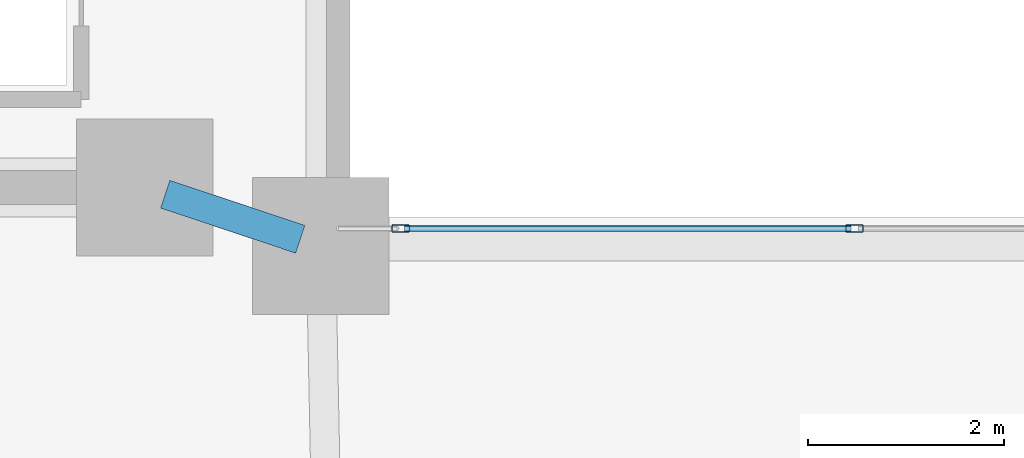
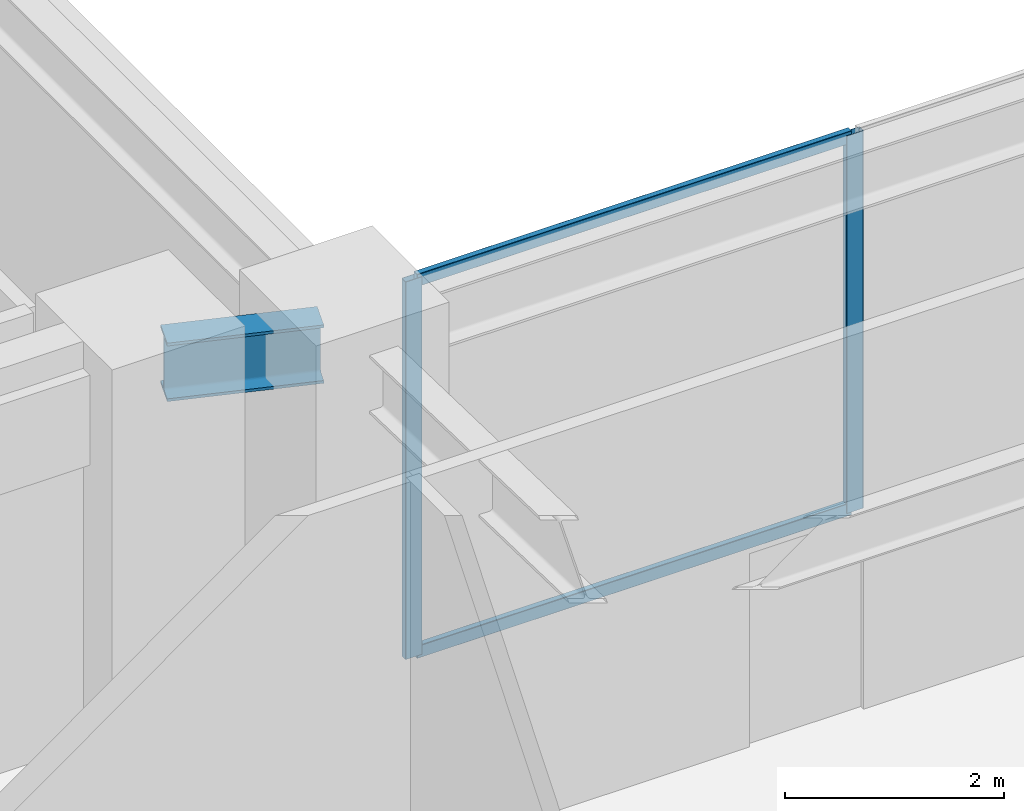
# One storey, part 8 of 40: 4 members, 1 beam, 1 element without a shape of its own.
"""IFC4 building model written with IfcOpenShell, lengths in metres."""

import ifcopenshell
import ifcopenshell.guid

model = None  # the IFC model being written
_history = None  # IfcOwnerHistory: only IFC2X3 demands one
_inside = {}  # id of a spatial element -> (the spatial element, [elements in it])
_under = {}  # id of a project, library or spatial element -> (it, [spatial elements below it])
_declared = {}  # id of a project -> (the project, [libraries it declares])
_typed = {}  # id of a type object -> (the type object, [elements of that type])
_made_of = {}  # id of a material, layer set ... -> (it, [elements and type objects made of it])


def new_model(schema):
    """Start an empty IFC model of exactly this schema.

    Asked for "IFC4X3", IfcOpenShell would pick the latest addendum, in which some entities
    have other attributes; the version numbers below select the first issue.
    IFC2X3 requires an IfcOwnerHistory on every rooted entity: one is made here for all.
    """
    global model, _history
    if schema == "IFC4X3":
        model = ifcopenshell.file(schema_version=(4, 3, 0, 0))
    else:
        model = ifcopenshell.file(schema=schema)
    _inside.clear()
    _under.clear()
    _declared.clear()
    _typed.clear()
    _made_of.clear()
    _history = None
    if model.schema == "IFC2X3":
        org = make("IfcOrganization", Name="unknown")
        user = make(
            "IfcPersonAndOrganization",
            ThePerson=make("IfcPerson", FamilyName="unknown"),
            TheOrganization=org,
        )
        app = make(
            "IfcApplication",
            ApplicationDeveloper=org,
            Version="unknown",
            ApplicationFullName="unknown",
            ApplicationIdentifier="unknown",
        )
        _history = make(
            "IfcOwnerHistory",
            OwningUser=user,
            OwningApplication=app,
            ChangeAction="ADDED",
            CreationDate=0,
        )
    return model


def make(cls, **values):
    """One entity of the class cls with the attributes given. An attribute that is None is left unset."""
    return model.create_entity(
        cls, **{name: value for name, value in values.items() if value is not None}
    )


def rooted(cls, **values):
    """An entity with a GlobalId (a new one), such as an element, a storey or a relation."""
    return make(cls, GlobalId=ifcopenshell.guid.new(), OwnerHistory=_history, **values)


def si_unit(unit_type, name, prefix=None):
    """IfcSIUnit, for example si_unit("LENGTHUNIT", "METRE", prefix="MILLI")."""
    return make("IfcSIUnit", UnitType=unit_type, Prefix=prefix, Name=name)


def assignment(units):
    """IfcUnitAssignment: the units of a project."""
    return None if units is None else make("IfcUnitAssignment", Units=units)


def point(xyz):
    """IfcCartesianPoint."""
    return None if xyz is None else make("IfcCartesianPoint", Coordinates=xyz)


def direction(xyz):
    """IfcDirection."""
    return None if xyz is None else make("IfcDirection", DirectionRatios=xyz)


def frame(location, z_axis=None, x_axis=None):
    """IfcAxis2Placement3D, a coordinate frame: its origin and axes. An axis left out is left unset."""
    return make(
        "IfcAxis2Placement3D",
        Location=point(location),
        Axis=direction(z_axis),
        RefDirection=direction(x_axis),
    )


def frame_2d(location, x_axis=None):
    """IfcAxis2Placement2D, a coordinate frame in the plane: its origin and x axis."""
    return make(
        "IfcAxis2Placement2D", Location=point(location), RefDirection=direction(x_axis)
    )


def origin():
    """The frame at (0, 0, 0) with its axes left unset."""
    return frame((0.0, 0.0, 0.0))


def origin_2d():
    """The frame at (0, 0) in the plane with its x axis left unset."""
    return frame_2d((0.0, 0.0))


def place(relative_to, where):
    """IfcLocalPlacement: puts the frame where relative to a parent placement (None: the world)."""
    return make(
        "IfcLocalPlacement", PlacementRelTo=relative_to, RelativePlacement=where
    )


def context(
    kind, dimensions, precision=None, world=None, true_north=None, identifier=None
):
    """IfcGeometricRepresentationContext, for example the 3D "Model" context."""
    return make(
        "IfcGeometricRepresentationContext",
        ContextIdentifier=identifier,
        ContextType=kind,
        CoordinateSpaceDimension=dimensions,
        Precision=precision,
        WorldCoordinateSystem=world,
        TrueNorth=true_north,
    )


def subcontext(parent, identifier, kind, view, scale=None):
    """IfcGeometricRepresentationSubContext, for example "Body" below "Model"."""
    return make(
        "IfcGeometricRepresentationSubContext",
        ContextIdentifier=identifier,
        ContextType=kind,
        ParentContext=parent,
        TargetScale=scale,
        TargetView=view,
    )


def project(units=None, contexts=None):
    """IfcProject with its units and contexts."""
    return rooted(
        "IfcProject",
        Name="project",
        RepresentationContexts=contexts,
        UnitsInContext=assignment(units),
    )


def spatial(cls, under=None, at=None, **own):
    """A site, building, storey or space (cls), placed at a placement, below another one or the project."""
    s = rooted(cls, ObjectPlacement=at, **own)
    if under is not None:
        _under.setdefault(under.id(), (under, []))[1].append(s)
    return s


def profile(cls, at=None, kind="AREA", **sizes):
    """A parametric profile (cls). Its sizes go by their IFC names, for example OverallWidth=200.0."""
    return make(cls, ProfileType=kind, Position=at, **sizes)


def hollow_rectangle(**sizes):
    """IfcRectangleHollowProfileDef."""
    return profile("IfcRectangleHollowProfileDef", **sizes)


def i_section(**sizes):
    """IfcIShapeProfileDef."""
    return profile("IfcIShapeProfileDef", **sizes)


def extrude(swept, where, along, depth):
    """IfcExtrudedAreaSolid: the profile swept, set in the frame where, extruded along a direction by depth."""
    return make(
        "IfcExtrudedAreaSolid",
        SweptArea=swept,
        Position=where,
        ExtrudedDirection=direction(along),
        Depth=depth,
    )


def shape(context_of_items, identifier, shape_type, items):
    """IfcShapeRepresentation: the items that make up one representation, for example the "Body"."""
    return make(
        "IfcShapeRepresentation",
        ContextOfItems=context_of_items,
        RepresentationIdentifier=identifier,
        RepresentationType=shape_type,
        Items=items,
    )


def material(Name=None, Category=None):
    """IfcMaterial."""
    return make("IfcMaterial", Name=Name, Category=Category)


def layer(
    of_material, thickness, ventilated=None, Name=None, Category=None, Priority=None
):
    """IfcMaterialLayer: one layer of a wall or slab, of a material (None: an air gap)."""
    return make(
        "IfcMaterialLayer",
        Material=of_material,
        LayerThickness=thickness,
        IsVentilated=ventilated,
        Name=Name,
        Category=Category,
        Priority=Priority,
    )


def layer_set(layers, Name=None):
    """IfcMaterialLayerSet."""
    return make("IfcMaterialLayerSet", MaterialLayers=layers, LayerSetName=Name)


def material_profile(
    of_material, cross_section, Name=None, Category=None, Priority=None
):
    """IfcMaterialProfile: a cross section and its material."""
    return make(
        "IfcMaterialProfile",
        Name=Name,
        Material=of_material,
        Profile=cross_section,
        Priority=Priority,
        Category=Category,
    )


def profile_set(profiles, Name=None, composite=None):
    """IfcMaterialProfileSet."""
    return make(
        "IfcMaterialProfileSet",
        Name=Name,
        MaterialProfiles=profiles,
        CompositeProfile=composite,
    )


def made_of(thing, what):
    """Note that an element or type object is made of a material, layer set ...; save() writes the relation."""
    if what is not None:
        _made_of.setdefault(what.id(), (what, []))[1].append(thing)
    return thing


def type_object(cls, material=None, **own):
    """A type object (cls), such as IfcWallType, which elements share."""
    return made_of(rooted(cls, **own), material)


def element(
    cls,
    number,
    at=None,
    inside=None,
    cuts=None,
    type_object=None,
    material=None,
    context=None,
    identifier="Body",
    shape_type=None,
    held_by="IfcProductDefinitionShape",
    body=None,
    shapes=None,
    **own,
):
    """One element of the class cls, such as IfcWall. Its Tag is "e" and its number.

    at: its placement. inside: the storey or other place that contains it. cuts: it is an
    opening in that element (IfcRelVoidsElement). A single representation is given by context,
    identifier, shape_type and body (its items); several are given by shapes. held_by: the class
    of the entity that holds the representations. save() writes the other relations.
    """
    e = rooted(cls, Tag="e%d" % number, ObjectPlacement=at, **own)
    if body is not None:
        shapes = [shape(context, identifier, shape_type, body)]
    if shapes is not None:
        e.Representation = make(held_by, Representations=shapes)
    if inside is not None:
        _inside.setdefault(inside.id(), (inside, []))[1].append(e)
    if cuts is not None:
        rooted(
            "IfcRelVoidsElement", RelatingBuildingElement=cuts, RelatedOpeningElement=e
        )
    if type_object is not None:
        _typed.setdefault(type_object.id(), (type_object, []))[1].append(e)
    return made_of(e, material)


def aggregate(whole, parts):
    """IfcRelAggregates: a whole, such as a stair, and the parts it consists of."""
    return rooted("IfcRelAggregates", RelatingObject=whole, RelatedObjects=parts)


def save(model, path):
    """Write the relations noted so far, then the file.

    IfcRelAggregates (storeys below a building ...), IfcRelContainedInSpatialStructure (elements
    in a storey), IfcRelDefinesByType, IfcRelAssociatesMaterial and IfcRelDeclares: one each for
    every whole, place, type object, material and project.
    """
    for whole, parts in _under.values():
        aggregate(whole, parts)
    for where, things in _inside.values():
        rooted(
            "IfcRelContainedInSpatialStructure",
            RelatedElements=things,
            RelatingStructure=where,
        )
    for kind, things in _typed.values():
        rooted("IfcRelDefinesByType", RelatedObjects=things, RelatingType=kind)
    for what, things in _made_of.values():
        rooted("IfcRelAssociatesMaterial", RelatedObjects=things, RelatingMaterial=what)
    for by, libraries in _declared.values():
        rooted("IfcRelDeclares", RelatingContext=by, RelatedDefinitions=libraries)
    model.write(path)


model = new_model("IFC4")

# Units and contexts
model_context = context("Model", 3, precision=1e-05, world=origin(), true_north=direction((0.0, 1.0)))
body_context = subcontext(model_context, "Body", "Model", "MODEL_VIEW")
ifc_project = project(units=[si_unit("LENGTHUNIT", "METRE"), si_unit("AREAUNIT", "SQUARE_METRE"), si_unit("VOLUMEUNIT", "CUBIC_METRE"), si_unit("PLANEANGLEUNIT", "RADIAN"), si_unit("MASSUNIT", "GRAM", prefix="KILO")], contexts=[model_context])

# Site, building, storey
site_placement = place(None, origin())
site = spatial("IfcSite", under=ifc_project, at=site_placement, CompositionType="ELEMENT")
building_placement = place(site_placement, origin())
building = spatial("IfcBuilding", under=site, at=building_placement, Name="Tarnavaz Court Tower", CompositionType="ELEMENT")
storey_placement = place(building_placement, frame((0.0, 0.0, 64.199951171875)))
storey = spatial("IfcBuildingStorey", under=building, at=storey_placement, Name="L17", CompositionType="ELEMENT", Elevation=64.199951171875)

# Beam
ifc_material_1 = material(Name="Steel S355", Category="steel")
ifc_material_profile_1 = material_profile(ifc_material_1, i_section(OverallWidth=0.300048828125, OverallDepth=0.64990234375, WebThickness=0.01611328125, FlangeThickness=0.031005859375, FilletRadius=0.027099609375, at=origin_2d()), Name="HEB 650")
ifc_profile_set_1 = profile_set([ifc_material_profile_1], Name="Steel S355")
beam_type = type_object("IfcBeamType", Name="BM-G-HEB650", PredefinedType="USERDEFINED", material=ifc_profile_set_1)
beam_placement = place(storey_placement, frame((-9.391357421875, -7.26953125, 3.875), z_axis=(0.948666544706, -0.316278021615, 0.0), x_axis=(0.316278021615, 0.948666544706, 0.0)))
element("IfcBeam", 1, at=beam_placement, inside=storey, type_object=beam_type, Name="L17 Beam IN-CW-SI-IW-SW", ObjectType="GIRDER", PredefinedType="USERDEFINED", context=body_context, shape_type="SweptSolid", body=[
    extrude(i_section(OverallWidth=0.300048828125, OverallDepth=0.64990234375, WebThickness=0.01611328125, FlangeThickness=0.031005859375, FilletRadius=0.027099609375, at=origin_2d()), origin(), (0.0, 0.0, 1.0), 1.457275390625),
])

# Curtain wall, members
ifc_material_2 = material(Name="Anodised Aluminium 6063-T6 and Solar Low-E Glazing", Category="aluminium")
ifc_layer = layer(ifc_material_2, 0.139892578125)
ifc_layer_set = layer_set([ifc_layer], Name="Anodised Aluminium 6063-T6 and Solar Low-E Glazing")
curtain_wall_type = type_object("IfcCurtainWallType", Name="CW-SYS-04", PredefinedType="NOTDEFINED", material=ifc_layer_set)
curtain_wall_placement = place(storey_placement, origin())
curtain_wall = element("IfcCurtainWall", 2, at=curtain_wall_placement, inside=storey, type_object=curtain_wall_type, Name="L17 Badgir Courtyard Curtain Wall S", PredefinedType="NOTDEFINED")
ifc_material_3 = material(Name="Anodised Aluminium 6063-T6", Category="aluminium")
ifc_material_profile_2 = material_profile(ifc_material_3, hollow_rectangle(XDim=0.074951171875, YDim=0.179931640625, WallThickness=0.0048828125, InnerFilletRadius=0.0048828125, OuterFilletRadius=0.010009765625, at=origin_2d()), Name="ALU RHS 180X75X5")
ifc_profile_set_2 = profile_set([ifc_material_profile_2], Name="Anodised Aluminium 6063-T6")
member_type_1 = type_object("IfcMemberType", Name="CW-MUL-180", PredefinedType="MULLION", material=ifc_profile_set_2)
member_1_placement = place(storey_placement, frame((-6.982421875, -7.6201171875, 0.0), z_axis=(0.0, 0.0, 1.0), x_axis=(0.0, 1.0, 0.0)))
member_1 = element("IfcMember", 3, at=member_1_placement, type_object=member_type_1, Name="CW mullion 1", PredefinedType="MULLION", context=body_context, shape_type="SweptSolid", body=[
    extrude(hollow_rectangle(XDim=0.074951171875, YDim=0.179931640625, WallThickness=0.0048828125, InnerFilletRadius=0.0048828125, OuterFilletRadius=0.010009765625, at=origin_2d()), origin(), (0.0, 0.0, 1.0), 4.199951171875),
])
member_2_placement = place(storey_placement, frame((-2.340087890625, -7.6201171875, 0.0), z_axis=(0.0, 0.0, 1.0), x_axis=(0.0, 1.0, 0.0)))
member_2 = element("IfcMember", 4, at=member_2_placement, type_object=member_type_1, Name="CW mullion 2", PredefinedType="MULLION", context=body_context, shape_type="SweptSolid", body=[
    extrude(hollow_rectangle(XDim=0.074951171875, YDim=0.179931640625, WallThickness=0.0048828125, InnerFilletRadius=0.0048828125, OuterFilletRadius=0.010009765625, at=origin_2d()), origin(), (0.0, 0.0, 1.0), 4.199951171875),
])
ifc_material_profile_3 = material_profile(ifc_material_3, hollow_rectangle(XDim=0.06494140625, YDim=0.139892578125, WallThickness=0.00390625, InnerFilletRadius=0.00390625, OuterFilletRadius=0.008056640625, at=origin_2d()), Name="ALU RHS 140X65X4")
ifc_profile_set_3 = profile_set([ifc_material_profile_3], Name="Anodised Aluminium 6063-T6")
member_type_2 = type_object("IfcMemberType", Name="CW-TRN-140", PredefinedType="USERDEFINED", material=ifc_profile_set_3)
member_3_placement = place(storey_placement, frame((-6.945068359375, -7.6201171875, 0.032470703125), z_axis=(1.0, 0.0, 0.0), x_axis=(0.0, 1.0, 0.0)))
member_3 = element("IfcMember", 5, at=member_3_placement, type_object=member_type_2, Name="CW transom 1.1", ObjectType="TRANSOM", PredefinedType="USERDEFINED", context=body_context, shape_type="SweptSolid", body=[
    extrude(hollow_rectangle(XDim=0.06494140625, YDim=0.139892578125, WallThickness=0.00390625, InnerFilletRadius=0.00390625, OuterFilletRadius=0.008056640625, at=origin_2d()), origin(), (0.0, 0.0, 1.0), 4.567626953125),
])
member_4_placement = place(storey_placement, frame((-6.945068359375, -7.6201171875, 4.16748046875), z_axis=(1.0, 0.0, 0.0), x_axis=(0.0, 1.0, 0.0)))
member_4 = element("IfcMember", 6, at=member_4_placement, type_object=member_type_2, Name="CW transom 1.2", ObjectType="TRANSOM", PredefinedType="USERDEFINED", context=body_context, shape_type="SweptSolid", body=[
    extrude(hollow_rectangle(XDim=0.06494140625, YDim=0.139892578125, WallThickness=0.00390625, InnerFilletRadius=0.00390625, OuterFilletRadius=0.008056640625, at=origin_2d()), origin(), (0.0, 0.0, 1.0), 4.567626953125),
])
aggregate(curtain_wall, [member_1, member_2, member_3, member_4])

save(model, "model.ifc")
